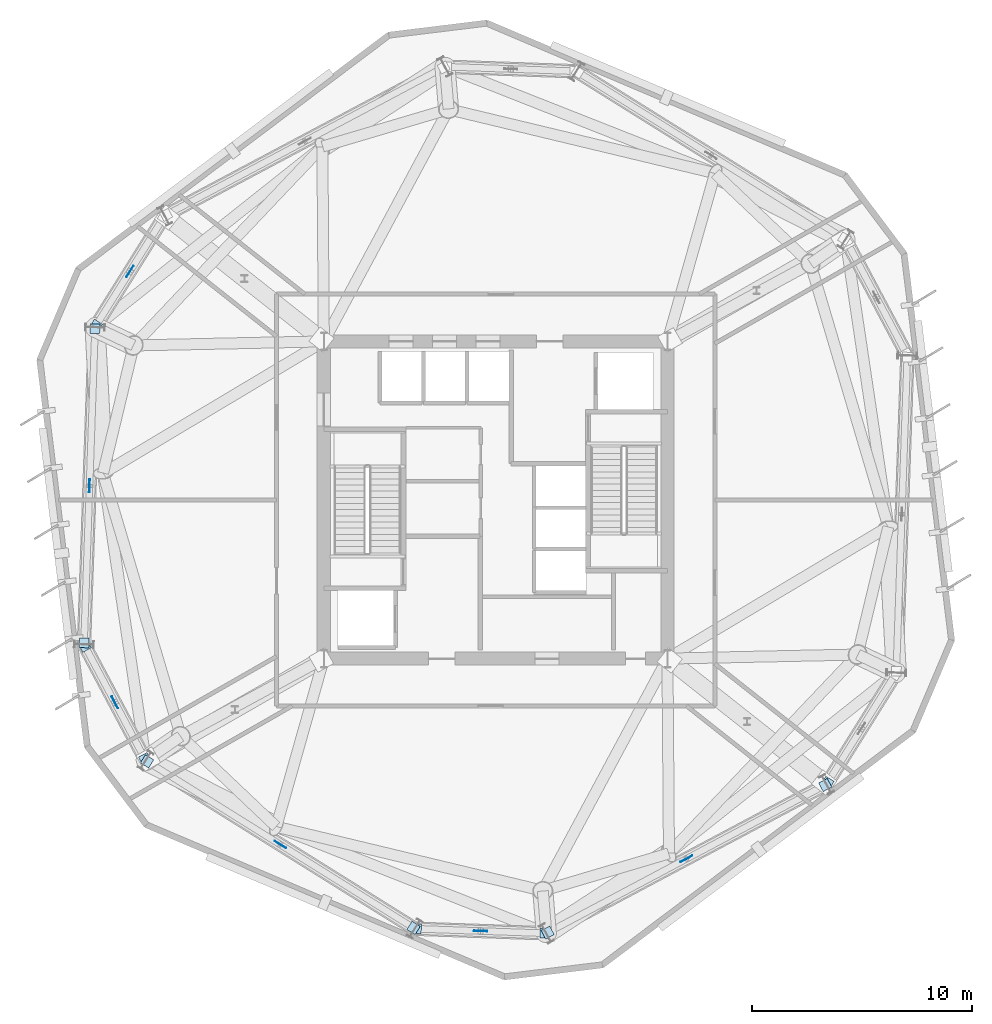
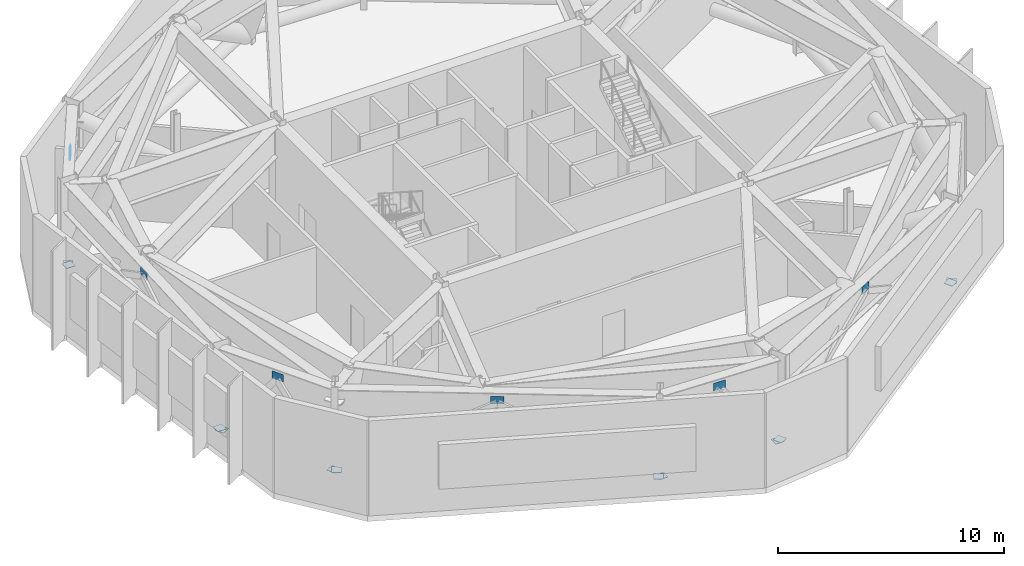
# One storey, part 4 of 11: 18 plates.
"""IFC4 building model written with IfcOpenShell, lengths in metres."""

from ifc_helpers import new_model, si_unit, direction, frame, origin, origin_2d, place, context, subcontext, project, spatial, rectangle, extrude, material, layer, layer_set, type_object, element, save


model = new_model("IFC4")

# Units and contexts
model_context = context("Model", 3, precision=1e-05, world=origin(), true_north=direction((0.0, 1.0)))
body_context = subcontext(model_context, "Body", "Model", "MODEL_VIEW")
ifc_project = project(units=[si_unit("LENGTHUNIT", "METRE"), si_unit("AREAUNIT", "SQUARE_METRE"), si_unit("VOLUMEUNIT", "CUBIC_METRE"), si_unit("PLANEANGLEUNIT", "RADIAN"), si_unit("MASSUNIT", "GRAM", prefix="KILO")], contexts=[model_context])

# Site, building, storey
site_placement = place(None, origin())
site = spatial("IfcSite", under=ifc_project, at=site_placement, CompositionType="ELEMENT")
building_placement = place(site_placement, origin())
building = spatial("IfcBuilding", under=site, at=building_placement, Name="Kranzbogen Civic Tower", CompositionType="ELEMENT")
storey_placement = place(building_placement, frame((0.0, 0.0, 170.39990234375)))
storey = spatial("IfcBuildingStorey", under=building, at=storey_placement, Name="L41", CompositionType="ELEMENT", Elevation=170.39990234375)

# Plates
ifc_material = material(Name="Steel S355", Category="steel")
ifc_layer_1 = layer(ifc_material, 0.028076171875, Name="Steel S355")
ifc_layer_set_1 = layer_set([ifc_layer_1], Name="Steel S355")
plate_type_1 = type_object("IfcPlateType", Name="Belt Truss Node Gusset Plate 600x400x28", PredefinedType="USERDEFINED", material=ifc_layer_set_1)
for number, where, z_axis, x_axis, name in (
    (1, (7.7119140625, 15.80810546875, 4.39013671875), (0.0, 0.0, 1.0), (0.46951779317, -0.882923010175, 0.0), "L41 belt truss apex gusset plate 01"),
    (2, (15.222900390625, 9.35400390625, 4.39013671875), (0.0, 0.0, 1.0), (0.848038847191, -0.529934065384, 0.0), "L41 belt truss apex gusset plate 02"),
    (3, (24.31591796875, 5.431884765625, 4.39013671875), (0.0, 0.0, 1.0), (0.999393261028, -0.034829725976, 0.0), "L41 belt truss apex gusset plate 03"),
    (4, (33.662109375, 8.7099609375, 4.39013671875), (0.0, 0.0, 1.0), (0.882955786549, 0.469456152372, 0.0), "L41 belt truss apex gusset plate 04"),
    (5, (8.39501953125, 35.3759765625, 4.39013671875), (0.0, 0.0, 1.0), (-0.529874859812, -0.848075841502, 0.0), "L41 belt truss apex gusset plate 11"),
    (6, (6.56103515625, 25.64404296875, 4.39013671875), (0.0, 0.0, 1.0), (-0.034916939358, -0.999390217756, 0.0), "L41 belt truss apex gusset plate 12"),
):
    element("IfcPlate", number, at=place(storey_placement, frame(where, z_axis=z_axis, x_axis=x_axis)), inside=storey, type_object=plate_type_1, Name=name, ObjectType="GUSSET_PLATE", PredefinedType="USERDEFINED", context=body_context, shape_type="SweptSolid", body=[
        extrude(rectangle(XDim=0.60009765625, YDim=0.028076171875, at=origin_2d()), origin(), (0.0, 0.0, 1.0), 0.39990234375),
    ])
ifc_layer_2 = layer(ifc_material, 0.02490234375, Name="Steel S355")
ifc_layer_set_2 = layer_set([ifc_layer_2], Name="Steel S355")
plate_type_2 = type_object("IfcPlateType", Name="Hollow Section Sealed End Cap Plate 440x440x25", PredefinedType="SHEET", material=ifc_layer_set_2)
for number, where, z_axis, x_axis, name in (
    (7, (6.343994140625, 18.3798828125, 0.627685546875), (0.0, 0.0, 1.0), (0.46951779317, -0.882923010175, 0.0), "DG-300: L41 belt truss diagonal 01A end cap 1"),
    (8, (9.080078125, 13.235107421875, 0.627685546875), (0.0, 0.0, 1.0), (-0.469379098156, 0.882996750965, 0.0), "DG-300: L41 belt truss diagonal 01B end cap 1"),
    (9, (9.173095703125, 13.135009765625, 0.631591796875), (0.0, 0.0, 1.0), (0.848038847191, -0.529934065384, 0.0), "DG-300: L41 belt truss diagonal 02A end cap 1"),
    (10, (21.27294921875, 5.572021484375, 0.631591796875), (0.0, 0.0, 1.0), (-0.847974097203, 0.530037668919, 0.0), "DG-300: L41 belt truss diagonal 02B end cap 1"),
    (11, (21.404052734375, 5.532958984375, 0.627685546875), (0.0, 0.0, 1.0), (0.999395690166, -0.034759955079, 0.0), "DG-300: L41 belt truss diagonal 03A end cap 1"),
    (12, (27.22900390625, 5.3310546875, 0.627685546875), (0.0, 0.0, 1.0), (-0.99939629669, 0.034742512329, 0.0), "DG-300: L41 belt truss diagonal 03B end cap 1"),
    (13, (27.362060546875, 5.361083984375, 0.631591796875), (0.0, 0.0, 1.0), (0.882972173122, 0.469425331115, 0.0), "DG-300: L41 belt truss diagonal 04A end cap 1"),
    (14, (39.9619140625, 12.05908203125, 0.631591796875), (0.0, 0.0, 1.0), (-0.882972173122, -0.469425331115, 0.0), "DG-300: L41 belt truss diagonal 04B end cap 1"),
    (15, (40.06103515625, 12.154052734375, 0.627685546875), (0.0, 0.0, 1.0), (0.529993268373, 0.848001848748, 0.0), "DG-300: L41 belt truss diagonal 05A end cap 1"),
    (16, (6.85107421875, 32.906005859375, 0.627685546875), (0.0, 0.0, 1.0), (0.529993268373, 0.848001848748, 0.0), "DG-300: L41 belt truss diagonal 11B end cap 1"),
    (17, (6.81005859375, 32.77490234375, 0.631591796875), (0.0, 0.0, 1.0), (-0.034951824636, -0.999388998316, 0.0), "DG-300: L41 belt truss diagonal 12A end cap 1"),
    (18, (6.31298828125, 18.512939453125, 0.631591796875), (0.0, 0.0, 1.0), (0.034812283267, 0.999393868769, 0.0), "DG-300: L41 belt truss diagonal 12B end cap 1"),
):
    element("IfcPlate", number, at=place(storey_placement, frame(where, z_axis=z_axis, x_axis=x_axis)), inside=storey, type_object=plate_type_2, Name=name, PredefinedType="SHEET", context=body_context, shape_type="SweptSolid", body=[
        extrude(rectangle(XDim=0.43994140625, YDim=0.43994140625, at=origin_2d()), origin(), (0.0, 0.0, 1.0), 0.02490234375),
    ])

save(model, "model.ifc")
